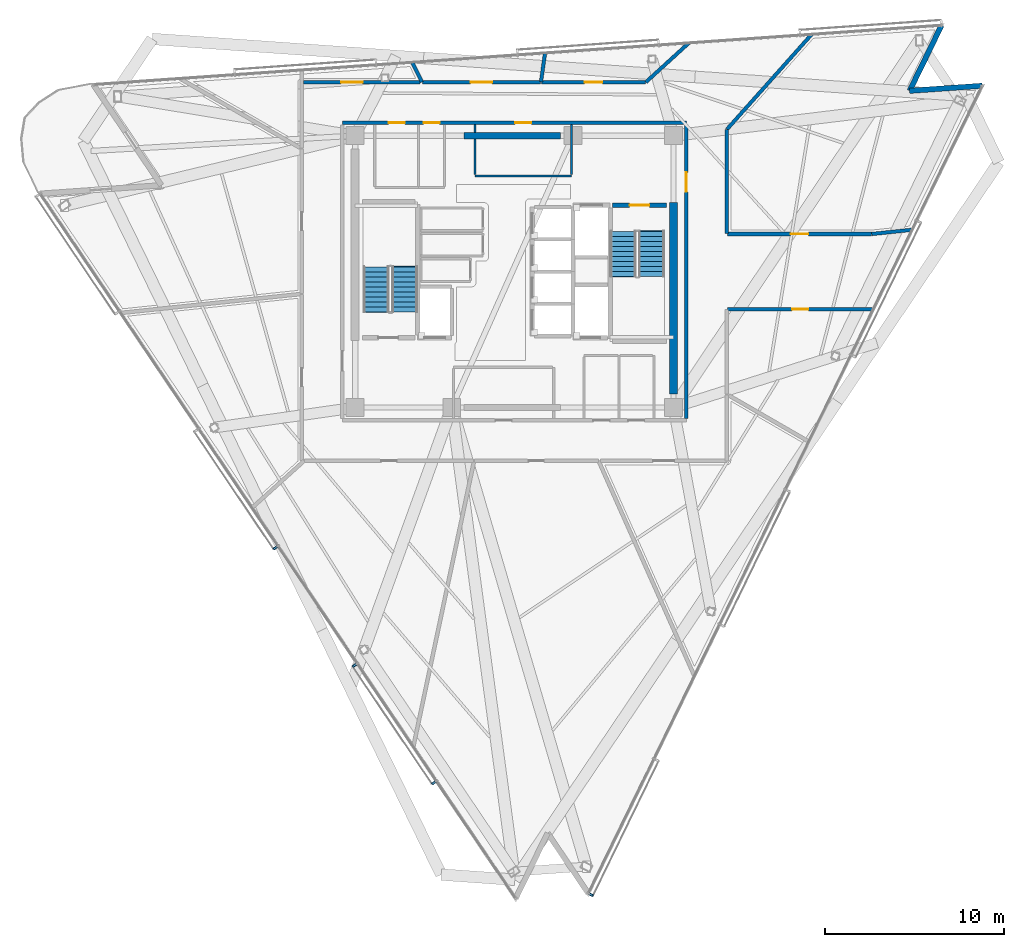
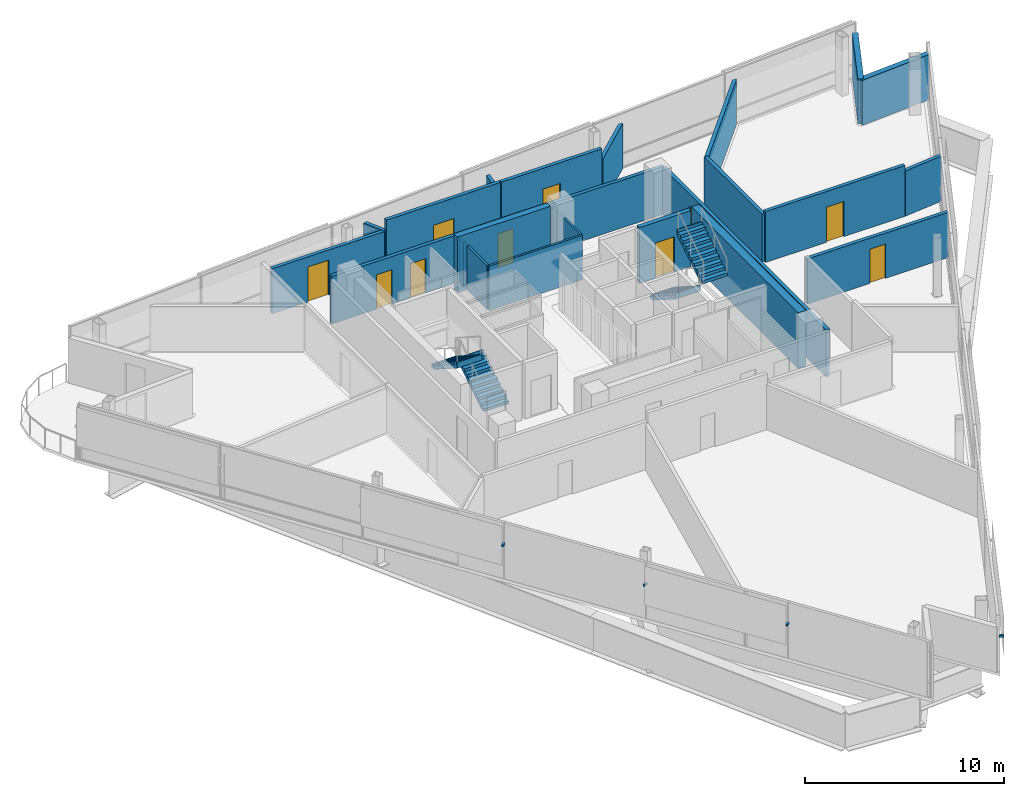
# One storey, part 12 of 17: 22 walls, 10 doors, 4 discrete accessories, 4 stair flights, 10 openings, 2 elements without a shape of their own.
"""IFC4 building model written with IfcOpenShell, lengths in metres."""

import ifcopenshell
import ifcopenshell.guid

model = None  # the IFC model being written
_history = None  # IfcOwnerHistory: only IFC2X3 demands one
_inside = {}  # id of a spatial element -> (the spatial element, [elements in it])
_under = {}  # id of a project, library or spatial element -> (it, [spatial elements below it])
_declared = {}  # id of a project -> (the project, [libraries it declares])
_typed = {}  # id of a type object -> (the type object, [elements of that type])
_made_of = {}  # id of a material, layer set ... -> (it, [elements and type objects made of it])


def new_model(schema):
    """Start an empty IFC model of exactly this schema.

    Asked for "IFC4X3", IfcOpenShell would pick the latest addendum, in which some entities
    have other attributes; the version numbers below select the first issue.
    IFC2X3 requires an IfcOwnerHistory on every rooted entity: one is made here for all.
    """
    global model, _history
    if schema == "IFC4X3":
        model = ifcopenshell.file(schema_version=(4, 3, 0, 0))
    else:
        model = ifcopenshell.file(schema=schema)
    _inside.clear()
    _under.clear()
    _declared.clear()
    _typed.clear()
    _made_of.clear()
    _history = None
    if model.schema == "IFC2X3":
        org = make("IfcOrganization", Name="unknown")
        user = make(
            "IfcPersonAndOrganization",
            ThePerson=make("IfcPerson", FamilyName="unknown"),
            TheOrganization=org,
        )
        app = make(
            "IfcApplication",
            ApplicationDeveloper=org,
            Version="unknown",
            ApplicationFullName="unknown",
            ApplicationIdentifier="unknown",
        )
        _history = make(
            "IfcOwnerHistory",
            OwningUser=user,
            OwningApplication=app,
            ChangeAction="ADDED",
            CreationDate=0,
        )
    return model


def make(cls, **values):
    """One entity of the class cls with the attributes given. An attribute that is None is left unset."""
    return model.create_entity(
        cls, **{name: value for name, value in values.items() if value is not None}
    )


def rooted(cls, **values):
    """An entity with a GlobalId (a new one), such as an element, a storey or a relation."""
    return make(cls, GlobalId=ifcopenshell.guid.new(), OwnerHistory=_history, **values)


def si_unit(unit_type, name, prefix=None):
    """IfcSIUnit, for example si_unit("LENGTHUNIT", "METRE", prefix="MILLI")."""
    return make("IfcSIUnit", UnitType=unit_type, Prefix=prefix, Name=name)


def assignment(units):
    """IfcUnitAssignment: the units of a project."""
    return None if units is None else make("IfcUnitAssignment", Units=units)


def point(xyz):
    """IfcCartesianPoint."""
    return None if xyz is None else make("IfcCartesianPoint", Coordinates=xyz)


def direction(xyz):
    """IfcDirection."""
    return None if xyz is None else make("IfcDirection", DirectionRatios=xyz)


def frame(location, z_axis=None, x_axis=None):
    """IfcAxis2Placement3D, a coordinate frame: its origin and axes. An axis left out is left unset."""
    return make(
        "IfcAxis2Placement3D",
        Location=point(location),
        Axis=direction(z_axis),
        RefDirection=direction(x_axis),
    )


def frame_2d(location, x_axis=None):
    """IfcAxis2Placement2D, a coordinate frame in the plane: its origin and x axis."""
    return make(
        "IfcAxis2Placement2D", Location=point(location), RefDirection=direction(x_axis)
    )


def origin():
    """The frame at (0, 0, 0) with its axes left unset."""
    return frame((0.0, 0.0, 0.0))


def origin_2d():
    """The frame at (0, 0) in the plane with its x axis left unset."""
    return frame_2d((0.0, 0.0))


def place(relative_to, where):
    """IfcLocalPlacement: puts the frame where relative to a parent placement (None: the world)."""
    return make(
        "IfcLocalPlacement", PlacementRelTo=relative_to, RelativePlacement=where
    )


def context(
    kind, dimensions, precision=None, world=None, true_north=None, identifier=None
):
    """IfcGeometricRepresentationContext, for example the 3D "Model" context."""
    return make(
        "IfcGeometricRepresentationContext",
        ContextIdentifier=identifier,
        ContextType=kind,
        CoordinateSpaceDimension=dimensions,
        Precision=precision,
        WorldCoordinateSystem=world,
        TrueNorth=true_north,
    )


def subcontext(parent, identifier, kind, view, scale=None):
    """IfcGeometricRepresentationSubContext, for example "Body" below "Model"."""
    return make(
        "IfcGeometricRepresentationSubContext",
        ContextIdentifier=identifier,
        ContextType=kind,
        ParentContext=parent,
        TargetScale=scale,
        TargetView=view,
    )


def project(units=None, contexts=None):
    """IfcProject with its units and contexts."""
    return rooted(
        "IfcProject",
        Name="project",
        RepresentationContexts=contexts,
        UnitsInContext=assignment(units),
    )


def spatial(cls, under=None, at=None, **own):
    """A site, building, storey or space (cls), placed at a placement, below another one or the project."""
    s = rooted(cls, ObjectPlacement=at, **own)
    if under is not None:
        _under.setdefault(under.id(), (under, []))[1].append(s)
    return s


def polyline(points):
    """IfcPolyline through the points."""
    return make("IfcPolyline", Points=[point(p) for p in points])


def profile(cls, at=None, kind="AREA", **sizes):
    """A parametric profile (cls). Its sizes go by their IFC names, for example OverallWidth=200.0."""
    return make(cls, ProfileType=kind, Position=at, **sizes)


def rectangle(**sizes):
    """IfcRectangleProfileDef."""
    return profile("IfcRectangleProfileDef", **sizes)


def outline(outer, holes=None, kind="AREA"):
    """IfcArbitraryClosedProfileDef: a profile drawn as a closed curve; with holes, ...WithVoids."""
    if holes is None:
        return make("IfcArbitraryClosedProfileDef", ProfileType=kind, OuterCurve=outer)
    return make(
        "IfcArbitraryProfileDefWithVoids",
        ProfileType=kind,
        OuterCurve=outer,
        InnerCurves=holes,
    )


def extrude(swept, where, along, depth):
    """IfcExtrudedAreaSolid: the profile swept, set in the frame where, extruded along a direction by depth."""
    return make(
        "IfcExtrudedAreaSolid",
        SweptArea=swept,
        Position=where,
        ExtrudedDirection=direction(along),
        Depth=depth,
    )


def shape(context_of_items, identifier, shape_type, items):
    """IfcShapeRepresentation: the items that make up one representation, for example the "Body"."""
    return make(
        "IfcShapeRepresentation",
        ContextOfItems=context_of_items,
        RepresentationIdentifier=identifier,
        RepresentationType=shape_type,
        Items=items,
    )


def material(Name=None, Category=None):
    """IfcMaterial."""
    return make("IfcMaterial", Name=Name, Category=Category)


def layer(
    of_material, thickness, ventilated=None, Name=None, Category=None, Priority=None
):
    """IfcMaterialLayer: one layer of a wall or slab, of a material (None: an air gap)."""
    return make(
        "IfcMaterialLayer",
        Material=of_material,
        LayerThickness=thickness,
        IsVentilated=ventilated,
        Name=Name,
        Category=Category,
        Priority=Priority,
    )


def layer_set(layers, Name=None):
    """IfcMaterialLayerSet."""
    return make("IfcMaterialLayerSet", MaterialLayers=layers, LayerSetName=Name)


def made_of(thing, what):
    """Note that an element or type object is made of a material, layer set ...; save() writes the relation."""
    if what is not None:
        _made_of.setdefault(what.id(), (what, []))[1].append(thing)
    return thing


def type_object(cls, material=None, **own):
    """A type object (cls), such as IfcWallType, which elements share."""
    return made_of(rooted(cls, **own), material)


def element(
    cls,
    number,
    at=None,
    inside=None,
    cuts=None,
    type_object=None,
    material=None,
    context=None,
    identifier="Body",
    shape_type=None,
    held_by="IfcProductDefinitionShape",
    body=None,
    shapes=None,
    **own,
):
    """One element of the class cls, such as IfcWall. Its Tag is "e" and its number.

    at: its placement. inside: the storey or other place that contains it. cuts: it is an
    opening in that element (IfcRelVoidsElement). A single representation is given by context,
    identifier, shape_type and body (its items); several are given by shapes. held_by: the class
    of the entity that holds the representations. save() writes the other relations.
    """
    e = rooted(cls, Tag="e%d" % number, ObjectPlacement=at, **own)
    if body is not None:
        shapes = [shape(context, identifier, shape_type, body)]
    if shapes is not None:
        e.Representation = make(held_by, Representations=shapes)
    if inside is not None:
        _inside.setdefault(inside.id(), (inside, []))[1].append(e)
    if cuts is not None:
        rooted(
            "IfcRelVoidsElement", RelatingBuildingElement=cuts, RelatedOpeningElement=e
        )
    if type_object is not None:
        _typed.setdefault(type_object.id(), (type_object, []))[1].append(e)
    return made_of(e, material)


def fill(opening, filler):
    """IfcRelFillsElement: the door or window that sits in an opening."""
    return rooted(
        "IfcRelFillsElement",
        RelatingOpeningElement=opening,
        RelatedBuildingElement=filler,
    )


def aggregate(whole, parts):
    """IfcRelAggregates: a whole, such as a stair, and the parts it consists of."""
    return rooted("IfcRelAggregates", RelatingObject=whole, RelatedObjects=parts)


def save(model, path):
    """Write the relations noted so far, then the file.

    IfcRelAggregates (storeys below a building ...), IfcRelContainedInSpatialStructure (elements
    in a storey), IfcRelDefinesByType, IfcRelAssociatesMaterial and IfcRelDeclares: one each for
    every whole, place, type object, material and project.
    """
    for whole, parts in _under.values():
        aggregate(whole, parts)
    for where, things in _inside.values():
        rooted(
            "IfcRelContainedInSpatialStructure",
            RelatedElements=things,
            RelatingStructure=where,
        )
    for kind, things in _typed.values():
        rooted("IfcRelDefinesByType", RelatedObjects=things, RelatingType=kind)
    for what, things in _made_of.values():
        rooted("IfcRelAssociatesMaterial", RelatedObjects=things, RelatingMaterial=what)
    for by, libraries in _declared.values():
        rooted("IfcRelDeclares", RelatingContext=by, RelatedDefinitions=libraries)
    model.write(path)


model = new_model("IFC4")

# Units and contexts
model_context = context("Model", 3, precision=1e-05, world=origin(), true_north=direction((0.0, 1.0)))
body_context = subcontext(model_context, "Body", "Model", "MODEL_VIEW")
ifc_project = project(units=[si_unit("LENGTHUNIT", "METRE"), si_unit("AREAUNIT", "SQUARE_METRE"), si_unit("VOLUMEUNIT", "CUBIC_METRE"), si_unit("PLANEANGLEUNIT", "RADIAN"), si_unit("MASSUNIT", "GRAM", prefix="KILO")], contexts=[model_context])

# Site, building, storey
site_placement = place(None, origin())
site = spatial("IfcSite", under=ifc_project, at=site_placement, CompositionType="ELEMENT")
building_placement = place(site_placement, origin())
building = spatial("IfcBuilding", under=site, at=building_placement, Name="Tharavind Bronze Gate", CompositionType="ELEMENT")
storey_placement = place(building_placement, frame((0.0, 0.0, 253.39990234375)))
storey = spatial("IfcBuildingStorey", under=building, at=storey_placement, Name="L65", CompositionType="ELEMENT", Elevation=253.39990234375)

# Walls
ifc_material_1 = material(Name="Concrete C40/50", Category="concrete")
ifc_layer_1 = layer(ifc_material_1, 0.300048828125)
ifc_layer_set_1 = layer_set([ifc_layer_1], Name="Concrete C40/50")
wall_type_1 = type_object("IfcWallType", Name="EXTERIOR SPANDREL WALL 300", PredefinedType="STANDARD", material=ifc_layer_set_1)
for number, where, z_axis, x_axis, name in (
    (1, (26.1552734375, 10.388427734375, 0.0), (0.0, 0.0, 1.0), (-0.997565400947, -0.06973715533, 0.0), "L65 notch cheek wall 3A"),
    (2, (22.09716796875, 10.104736328125, 0.0), (0.0, 0.0, 1.0), (0.438405895792, 0.898777097246, 0.0), "L65 notch cheek wall 3B"),
):
    element("IfcWall", number, at=place(storey_placement, frame(where, z_axis=z_axis, x_axis=x_axis)), inside=storey, type_object=wall_type_1, Name=name, PredefinedType="STANDARD", context=body_context, shape_type="SweptSolid", body=[
        extrude(rectangle(XDim=4.068115234375, YDim=0.300048828125, at=frame_2d((2.0341796875, 0.0))), origin(), (0.0, 0.0, 1.0), 2.76513671875),
    ])

# Wall, openings, doors
ifc_material_2 = material(Name="Aerated Concrete Block", Category="concrete")
ifc_layer_2 = layer(ifc_material_2, 0.199951171875)
ifc_layer_set_2 = layer_set([ifc_layer_2], Name="Aerated Concrete Block")
wall_type_2 = type_object("IfcWallType", Name="FIRE RATED PARTITION 200", PredefinedType="PARTITIONING", material=ifc_layer_set_2)
wall_1_placement = place(storey_placement, frame((9.6201171875, 8.320068359375, 0.0), z_axis=(0.0, 0.0, 1.0), x_axis=(-1.0, 0.0, 0.0)))
wall_1 = element("IfcWall", 3, at=wall_1_placement, inside=storey, type_object=wall_type_2, Name="L65 north core corridor wall", PredefinedType="PARTITIONING", context=body_context, shape_type="SweptSolid", body=[
    extrude(rectangle(XDim=19.240234375, YDim=0.199951171875, at=frame_2d((9.6201171875, 0.0))), origin(), (0.0, 0.0, 1.0), 2.9150390625),
])
opening_1_placement = place(wall_1_placement, frame((8.669921875, 0.0, 0.0)))
opening_1 = element("IfcOpeningElement", 4, at=opening_1_placement, cuts=wall_1, Name="Opening ID07", PredefinedType="OPENING", context=body_context, shape_type="SweptSolid", body=[
    extrude(rectangle(XDim=0.89990234375, YDim=2.10009765625, at=frame_2d((0.449951171875, 1.050048828125))), frame((0.0, 0.11009765625, 0.0), z_axis=(0.0, -1.0, 0.0), x_axis=(1.0, 0.0, 0.0)), (0.0, 0.0, 1.0), 0.219951171875),
])
opening_2_placement = place(wall_1_placement, frame((15.7451171875, 0.0, 0.0)))
opening_2 = element("IfcOpeningElement", 5, at=opening_2_placement, cuts=wall_1, Name="Opening ID07", PredefinedType="OPENING", context=body_context, shape_type="SweptSolid", body=[
    extrude(rectangle(XDim=0.89990234375, YDim=2.10009765625, at=frame_2d((0.449951171875, 1.050048828125))), frame((0.0, 0.11009765625, 0.0), z_axis=(0.0, -1.0, 0.0), x_axis=(1.0, 0.0, 0.0)), (0.0, 0.0, 1.0), 0.219951171875),
])
opening_3_placement = place(wall_1_placement, frame((13.794921875, 0.0, 0.0)))
opening_3 = element("IfcOpeningElement", 6, at=opening_3_placement, cuts=wall_1, Name="Opening ID07", PredefinedType="OPENING", context=body_context, shape_type="SweptSolid", body=[
    extrude(rectangle(XDim=0.89990234375, YDim=2.10009765625, at=frame_2d((0.449951171875, 1.050048828125))), frame((0.0, 0.11009765625, 0.0), z_axis=(0.0, -1.0, 0.0), x_axis=(1.0, 0.0, 0.0)), (0.0, 0.0, 1.0), 0.219951171875),
])
ifc_material_3 = material(Name="Galvanised Fire Steel", Category="steel")
door_type_1 = type_object("IfcDoorType", Name="PLANT AND RISER FIRE DOOR 900X2100", OperationType="SINGLE_SWING_LEFT", PredefinedType="DOOR", material=ifc_material_3)
door_1_placement = place(opening_1_placement, origin())
door_1 = element("IfcDoor", 7, at=door_1_placement, inside=storey, type_object=door_type_1, Name="L65 Core Avionics Room fire door", OperationType="SINGLE_SWING_LEFT", OverallHeight=2.10009765625, OverallWidth=0.89990234375, PredefinedType="DOOR", context=body_context, shape_type="SweptSolid", body=[
    extrude(rectangle(XDim=0.89990234375, YDim=2.10009765625, at=frame_2d((0.449951171875, 1.050048828125))), frame((0.0, 0.02490234375, 0.0), z_axis=(0.0, -1.0, 0.0), x_axis=(1.0, 0.0, 0.0)), (0.0, 0.0, 1.0), 0.050048828125),
])
fill(opening_1, door_1)
door_2_placement = place(opening_2_placement, origin())
door_2 = element("IfcDoor", 8, at=door_2_placement, inside=storey, type_object=door_type_1, Name="L65 Electrical Metering Room fire door", OperationType="SINGLE_SWING_LEFT", OverallHeight=2.10009765625, OverallWidth=0.89990234375, PredefinedType="DOOR", context=body_context, shape_type="SweptSolid", body=[
    extrude(rectangle(XDim=0.89990234375, YDim=2.10009765625, at=frame_2d((0.449951171875, 1.050048828125))), frame((0.0, 0.02490234375, 0.0), z_axis=(0.0, -1.0, 0.0), x_axis=(1.0, 0.0, 0.0)), (0.0, 0.0, 1.0), 0.050048828125),
])
fill(opening_2, door_2)
door_3_placement = place(opening_3_placement, origin())
door_3 = element("IfcDoor", 9, at=door_3_placement, inside=storey, type_object=door_type_1, Name="L65 Linen Cupboard fire door", OperationType="SINGLE_SWING_LEFT", OverallHeight=2.10009765625, OverallWidth=0.89990234375, PredefinedType="DOOR", context=body_context, shape_type="SweptSolid", body=[
    extrude(rectangle(XDim=0.89990234375, YDim=2.10009765625, at=frame_2d((0.449951171875, 1.050048828125))), frame((0.0, 0.02490234375, 0.0), z_axis=(0.0, -1.0, 0.0), x_axis=(1.0, 0.0, 0.0)), (0.0, 0.0, 1.0), 0.050048828125),
])
fill(opening_3, door_3)

# Wall, opening, door
wall_2_placement = place(storey_placement, frame((9.6201171875, -8.199951171875, 0.0), z_axis=(0.0, 0.0, 1.0), x_axis=(0.0, 1.0, 0.0)))
wall_2 = element("IfcWall", 10, at=wall_2_placement, inside=storey, type_object=wall_type_2, Name="L65 east core corridor wall", PredefinedType="PARTITIONING", context=body_context, shape_type="SweptSolid", body=[
    extrude(rectangle(XDim=16.39990234375, YDim=0.199951171875, at=frame_2d((8.199951171875, 0.0))), origin(), (0.0, 0.0, 1.0), 2.9150390625),
])
opening_4_placement = place(wall_2_placement, frame((12.64990234375, 0.0, 0.0)))
opening_4 = element("IfcOpeningElement", 11, at=opening_4_placement, cuts=wall_2, Name="Opening ID01", PredefinedType="OPENING", context=body_context, shape_type="SweptSolid", body=[
    extrude(rectangle(XDim=1.10009765625, YDim=2.14990234375, at=frame_2d((0.550048828125, 1.074951171875))), frame((0.0, 0.11009765625, 0.0), z_axis=(0.0, -1.0, 0.0), x_axis=(1.0, 0.0, 0.0)), (0.0, 0.0, 1.0), 0.219951171875),
])
ifc_material_4 = material(Name="Fire-Rated Steel", Category="steel")
door_type_2 = type_object("IfcDoorType", Name="STAIR CORE FIRE DOOR 1100X2150", OperationType="SINGLE_SWING_LEFT", PredefinedType="DOOR", material=ifc_material_4)
door_4_placement = place(opening_4_placement, frame((1.10009765625, 0.0, 0.0), z_axis=(0.0, 0.0, 1.0), x_axis=(-1.0, 0.0, 0.0)))
door_4 = element("IfcDoor", 12, at=door_4_placement, inside=storey, type_object=door_type_2, Name="L65 north east stair lobby fire door", OperationType="SINGLE_SWING_LEFT", OverallHeight=2.14990234375, OverallWidth=1.10009765625, PredefinedType="DOOR", context=body_context, shape_type="SweptSolid", body=[
    extrude(rectangle(XDim=1.10009765625, YDim=2.14990234375, at=frame_2d((0.550048828125, 1.074951171875))), frame((0.0, 0.02490234375, 0.0), z_axis=(0.0, -1.0, 0.0), x_axis=(1.0, 0.0, 0.0)), (0.0, 0.0, 1.0), 0.050048828125),
])
fill(opening_4, door_4)

# Wall
wall_3_placement = place(storey_placement, frame((22.214111328125, 2.334716796875, 0.0), z_axis=(0.0, 0.0, 1.0), x_axis=(-0.994523910136, -0.104509292252, 0.0)))
element("IfcWall", 13, at=wall_3_placement, inside=storey, type_object=wall_type_2, Name="L65 Chairman Corner Office partition", PredefinedType="PARTITIONING", context=body_context, shape_type="SweptSolid", body=[
    extrude(rectangle(XDim=2.244873046875, YDim=0.199951171875, at=frame_2d((1.12255859375, 0.0))), origin(), (0.0, 0.0, 1.0), 2.76513671875),
])

# Wall, opening, door
wall_4_placement = place(storey_placement, frame((19.97900390625, 2.10009765625, 0.0), z_axis=(0.0, 0.0, 1.0), x_axis=(-1.0, 0.0, 0.0)))
wall_4 = element("IfcWall", 14, at=wall_4_placement, inside=storey, type_object=wall_type_2, Name="L65 Chairman Corner Office partition", PredefinedType="PARTITIONING", context=body_context, shape_type="SweptSolid", body=[
    extrude(rectangle(XDim=8.073974609375, YDim=0.199951171875, at=frame_2d((4.037109375, 0.0))), origin(), (0.0, 0.0, 1.0), 3.114990234375),
])
opening_5_placement = place(wall_4_placement, frame((3.537109375, 0.0, 0.0)))
opening_5 = element("IfcOpeningElement", 15, at=opening_5_placement, cuts=wall_4, Name="Opening ID04", PredefinedType="OPENING", context=body_context, shape_type="SweptSolid", body=[
    extrude(rectangle(XDim=1.0, YDim=2.14990234375, at=frame_2d((0.5, 1.074951171875))), frame((0.0, 0.11009765625, 0.0), z_axis=(0.0, -1.0, 0.0), x_axis=(1.0, 0.0, 0.0)), (0.0, 0.0, 1.0), 0.219951171875),
])
ifc_material_5 = material(Name="Bronze Framed Acoustic Timber", Category="wood")
door_type_3 = type_object("IfcDoorType", Name="OFFICE TENANCY DOOR 1000X2150", OperationType="SINGLE_SWING_RIGHT", PredefinedType="DOOR", material=ifc_material_5)
door_5_placement = place(opening_5_placement, origin())
door_5 = element("IfcDoor", 16, at=door_5_placement, inside=storey, type_object=door_type_3, Name="L65 Chairman Corner Office door", OperationType="SINGLE_SWING_RIGHT", OverallHeight=2.14990234375, OverallWidth=1.0, PredefinedType="DOOR", context=body_context, shape_type="SweptSolid", body=[
    extrude(rectangle(XDim=1.0, YDim=2.14990234375, at=frame_2d((0.5, 1.074951171875))), frame((0.0, 0.02490234375, 0.0), z_axis=(0.0, -1.0, 0.0), x_axis=(1.0, 0.0, 0.0)), (0.0, 0.0, 1.0), 0.050048828125),
])
fill(opening_5, door_5)

# Walls
wall_5_placement = place(storey_placement, frame((11.8798828125, 2.125, 0.0), z_axis=(0.0, 0.0, 1.0), x_axis=(0.0, 1.0, 0.0)))
element("IfcWall", 17, at=wall_5_placement, inside=storey, type_object=wall_type_2, Name="L65 Chairman Corner Office partition", PredefinedType="PARTITIONING", context=body_context, shape_type="SweptSolid", body=[
    extrude(rectangle(XDim=5.811279296875, YDim=0.199951171875, at=frame_2d((2.90576171875, 0.0))), origin(), (0.0, 0.0, 1.0), 2.9150390625),
])
wall_6_placement = place(storey_placement, frame((11.88623046875, 7.952880859375, 0.0), z_axis=(0.0, 0.0, 1.0), x_axis=(0.66568987099, 0.746228514372, 0.0)))
element("IfcWall", 18, at=wall_6_placement, inside=storey, type_object=wall_type_2, Name="L65 Chairman Corner Office partition", PredefinedType="PARTITIONING", context=body_context, shape_type="SweptSolid", body=[
    extrude(rectangle(XDim=7.1025390625, YDim=0.199951171875, at=frame_2d((3.55126953125, 0.0))), origin(), (0.0, 0.0, 1.0), 2.76513671875),
])
wall_7_placement = place(storey_placement, frame((9.74853515625, 12.77294921875, 0.0), z_axis=(0.0, 0.0, 1.0), x_axis=(-0.739034043314, -0.673668080603, 0.0)))
element("IfcWall", 19, at=wall_7_placement, inside=storey, type_object=wall_type_2, Name="L65 CEO Executive Office partition", PredefinedType="PARTITIONING", context=body_context, shape_type="SweptSolid", body=[
    extrude(rectangle(XDim=3.24560546875, YDim=0.199951171875, at=frame_2d((1.622802734375, 0.0))), origin(), (0.0, 0.0, 1.0), 2.76513671875),
])

# Wall, opening, door
wall_8_placement = place(storey_placement, frame((7.3330078125, 10.580078125, 0.0), z_axis=(0.0, 0.0, 1.0), x_axis=(-1.0, 0.0, 0.0)))
wall_8 = element("IfcWall", 20, at=wall_8_placement, inside=storey, type_object=wall_type_2, Name="L65 CEO Executive Office partition", PredefinedType="PARTITIONING", context=body_context, shape_type="SweptSolid", body=[
    extrude(rectangle(XDim=5.8173828125, YDim=0.199951171875, at=frame_2d((2.90869140625, 0.0))), origin(), (0.0, 0.0, 1.0), 3.420166015625),
])
opening_6_placement = place(wall_8_placement, frame((2.408935546875, 0.0, 0.0)))
opening_6 = element("IfcOpeningElement", 21, at=opening_6_placement, cuts=wall_8, Name="Opening ID04", PredefinedType="OPENING", context=body_context, shape_type="SweptSolid", body=[
    extrude(rectangle(XDim=1.0, YDim=2.14990234375, at=frame_2d((0.5, 1.074951171875))), frame((0.0, 0.11009765625, 0.0), z_axis=(0.0, -1.0, 0.0), x_axis=(1.0, 0.0, 0.0)), (0.0, 0.0, 1.0), 0.219951171875),
])
door_6_placement = place(opening_6_placement, origin())
door_6 = element("IfcDoor", 22, at=door_6_placement, inside=storey, type_object=door_type_3, Name="L65 CEO Executive Office door", OperationType="SINGLE_SWING_RIGHT", OverallHeight=2.14990234375, OverallWidth=1.0, PredefinedType="DOOR", context=body_context, shape_type="SweptSolid", body=[
    extrude(rectangle(XDim=1.0, YDim=2.14990234375, at=frame_2d((0.5, 1.074951171875))), frame((0.0, 0.02490234375, 0.0), z_axis=(0.0, -1.0, 0.0), x_axis=(1.0, 0.0, 0.0)), (0.0, 0.0, 1.0), 0.050048828125),
])
fill(opening_6, door_6)

# Wall
wall_9_placement = place(storey_placement, frame((1.490966796875, 10.6083984375, 0.0), z_axis=(0.0, 0.0, 1.0), x_axis=(0.139154192709, 0.990270725939, 0.0)))
element("IfcWall", 23, at=wall_9_placement, inside=storey, type_object=wall_type_2, Name="L65 CEO Executive Office partition", PredefinedType="PARTITIONING", context=body_context, shape_type="SweptSolid", body=[
    extrude(rectangle(XDim=1.598388671875, YDim=0.199951171875, at=frame_2d((0.79931640625, 0.0))), origin(), (0.0, 0.0, 1.0), 2.76513671875),
])

# Wall, opening, door
wall_10_placement = place(storey_placement, frame((1.465087890625, 10.580078125, 0.0), z_axis=(0.0, 0.0, 1.0), x_axis=(-1.0, 0.0, 0.0)))
wall_10 = element("IfcWall", 24, at=wall_10_placement, inside=storey, type_object=wall_type_2, Name="L65 Global Boardroom partition", PredefinedType="PARTITIONING", context=body_context, shape_type="SweptSolid", body=[
    extrude(rectangle(XDim=6.609619140625, YDim=0.199951171875, at=frame_2d((3.3046875, 0.0))), origin(), (0.0, 0.0, 1.0), 3.420166015625),
])
opening_7_placement = place(wall_10_placement, frame((2.705078125, 0.0, 0.0)))
opening_7 = element("IfcOpeningElement", 25, at=opening_7_placement, cuts=wall_10, Name="Opening ID05", PredefinedType="OPENING", context=body_context, shape_type="SweptSolid", body=[
    extrude(rectangle(XDim=1.199951171875, YDim=2.14990234375, at=frame_2d((0.60009765625, 1.074951171875))), frame((0.0, 0.11009765625, 0.0), z_axis=(0.0, -1.0, 0.0), x_axis=(1.0, 0.0, 0.0)), (0.0, 0.0, 1.0), 0.219951171875),
])
ifc_material_6 = material(Name="Acoustic Laminated Glass", Category="glass")
door_type_4 = type_object("IfcDoorType", Name="MEETING ROOM GLAZED DOOR 1200X2150", OperationType="SINGLE_SWING_LEFT", PredefinedType="DOOR", material=ifc_material_6)
door_7_placement = place(opening_7_placement, origin())
door_7 = element("IfcDoor", 26, at=door_7_placement, inside=storey, type_object=door_type_4, Name="L65 Global Boardroom door", OperationType="SINGLE_SWING_LEFT", OverallHeight=2.14990234375, OverallWidth=1.199951171875, PredefinedType="DOOR", context=body_context, shape_type="SweptSolid", body=[
    extrude(rectangle(XDim=1.199951171875, YDim=2.14990234375, at=frame_2d((0.60009765625, 1.074951171875))), frame((0.0, 0.02490234375, 0.0), z_axis=(0.0, -1.0, 0.0), x_axis=(1.0, 0.0, 0.0)), (0.0, 0.0, 1.0), 0.050048828125),
])
fill(opening_7, door_7)

# Wall
wall_11_placement = place(storey_placement, frame((-5.1669921875, 10.593994140625, 0.0), z_axis=(0.0, 0.0, 1.0), x_axis=(-0.438482667622, 0.89873964539, 0.0)))
element("IfcWall", 27, at=wall_11_placement, inside=storey, type_object=wall_type_2, Name="L65 Global Boardroom partition", PredefinedType="PARTITIONING", context=body_context, shape_type="SweptSolid", body=[
    extrude(rectangle(XDim=1.22216796875, YDim=0.199951171875, at=frame_2d((0.611083984375, 0.0))), origin(), (0.0, 0.0, 1.0), 2.76513671875),
])

# Wall, opening, door
wall_12_placement = place(storey_placement, frame((-5.277099609375, 10.580078125, 0.0), z_axis=(0.0, 0.0, 1.0), x_axis=(-1.0, 0.0, 0.0)))
wall_12 = element("IfcWall", 28, at=wall_12_placement, inside=storey, type_object=wall_type_2, Name="L65 Strategy Seminar Room partition", PredefinedType="PARTITIONING", context=body_context, shape_type="SweptSolid", body=[
    extrude(rectangle(XDim=6.497802734375, YDim=0.199951171875, at=frame_2d((3.2490234375, 0.0))), origin(), (0.0, 0.0, 1.0), 2.76513671875),
])
opening_8_placement = place(wall_12_placement, frame((3.208984375, 0.0, 0.0)))
opening_8 = element("IfcOpeningElement", 29, at=opening_8_placement, cuts=wall_12, Name="Opening ID05", PredefinedType="OPENING", context=body_context, shape_type="SweptSolid", body=[
    extrude(rectangle(XDim=1.199951171875, YDim=2.14990234375, at=frame_2d((0.60009765625, 1.074951171875))), frame((0.0, 0.11009765625, 0.0), z_axis=(0.0, -1.0, 0.0), x_axis=(1.0, 0.0, 0.0)), (0.0, 0.0, 1.0), 0.219951171875),
])
door_8_placement = place(opening_8_placement, origin())
door_8 = element("IfcDoor", 30, at=door_8_placement, inside=storey, type_object=door_type_4, Name="L65 Strategy Seminar Room door", OperationType="SINGLE_SWING_LEFT", OverallHeight=2.14990234375, OverallWidth=1.199951171875, PredefinedType="DOOR", context=body_context, shape_type="SweptSolid", body=[
    extrude(rectangle(XDim=1.199951171875, YDim=2.14990234375, at=frame_2d((0.60009765625, 1.074951171875))), frame((0.0, 0.02490234375, 0.0), z_axis=(0.0, -1.0, 0.0), x_axis=(1.0, 0.0, 0.0)), (0.0, 0.0, 1.0), 0.050048828125),
])
fill(opening_8, door_8)

wall_13_placement = place(storey_placement, frame((11.905029296875, -2.10009765625, 0.0), z_axis=(0.0, 0.0, 1.0), x_axis=(1.0, 0.0, 0.0)))
wall_13 = element("IfcWall", 31, at=wall_13_placement, inside=storey, type_object=wall_type_2, Name="L65 Butler Pantry partition", PredefinedType="PARTITIONING", context=body_context, shape_type="SweptSolid", body=[
    extrude(rectangle(XDim=8.1591796875, YDim=0.199951171875, at=frame_2d((4.07958984375, 0.0))), origin(), (0.0, 0.0, 1.0), 2.76513671875),
])
opening_9_placement = place(wall_13_placement, frame((3.6298828125, 0.0, 0.0)))
opening_9 = element("IfcOpeningElement", 32, at=opening_9_placement, cuts=wall_13, Name="Opening ID07", PredefinedType="OPENING", context=body_context, shape_type="SweptSolid", body=[
    extrude(rectangle(XDim=0.89990234375, YDim=2.10009765625, at=frame_2d((0.449951171875, 1.050048828125))), frame((0.0, 0.11009765625, 0.0), z_axis=(0.0, -1.0, 0.0), x_axis=(1.0, 0.0, 0.0)), (0.0, 0.0, 1.0), 0.219951171875),
])
door_9_placement = place(opening_9_placement, origin())
door_9 = element("IfcDoor", 33, at=door_9_placement, inside=storey, type_object=door_type_1, Name="L65 Butler Pantry door", OperationType="SINGLE_SWING_LEFT", OverallHeight=2.10009765625, OverallWidth=0.89990234375, PredefinedType="DOOR", context=body_context, shape_type="SweptSolid", body=[
    extrude(rectangle(XDim=0.89990234375, YDim=2.10009765625, at=frame_2d((0.449951171875, 1.050048828125))), frame((0.0, 0.02490234375, 0.0), z_axis=(0.0, -1.0, 0.0), x_axis=(1.0, 0.0, 0.0)), (0.0, 0.0, 1.0), 0.050048828125),
])
fill(opening_9, door_9)

# Walls
ifc_material_7 = material(Name="Metal Stud Gypsum Partition", Category="gypsum")
ifc_layer_3 = layer(ifc_material_7, 0.1201171875)
ifc_layer_set_3 = layer_set([ifc_layer_3], Name="Metal Stud Gypsum Partition")
wall_type_3 = type_object("IfcWallType", Name="INTERIOR PARTITION WALL 120", PredefinedType="PARTITIONING", material=ifc_layer_set_3)
wall_14_placement = place(storey_placement, frame((-2.199951171875, 5.35009765625, 0.0), z_axis=(0.0, 0.0, 1.0), x_axis=(1.0, 0.0, 0.0)))
element("IfcWall", 34, at=wall_14_placement, inside=storey, type_object=wall_type_3, Name="L65 Core Avionics Room partition 1", PredefinedType="PARTITIONING", context=body_context, shape_type="SweptSolid", body=[
    extrude(rectangle(XDim=5.39990234375, YDim=0.1201171875, at=frame_2d((2.699951171875, 0.0))), origin(), (0.0, 0.0, 1.0), 2.715087890625),
])
wall_15_placement = place(storey_placement, frame((3.199951171875, 5.4150390625, 0.0), z_axis=(0.0, 0.0, 1.0), x_axis=(0.0, 1.0, 0.0)))
element("IfcWall", 35, at=wall_15_placement, inside=storey, type_object=wall_type_3, Name="L65 Core Avionics Room partition 2", PredefinedType="PARTITIONING", context=body_context, shape_type="SweptSolid", body=[
    extrude(rectangle(XDim=2.800048828125, YDim=0.1201171875, at=frame_2d((1.39990234375, 0.0))), origin(), (0.0, 0.0, 1.0), 2.715087890625),
])
wall_16_placement = place(storey_placement, frame((-2.199951171875, 8.215087890625, 0.0), z_axis=(0.0, 0.0, 1.0), x_axis=(0.0, -1.0, 0.0)))
element("IfcWall", 36, at=wall_16_placement, inside=storey, type_object=wall_type_3, Name="L65 Core Avionics Room partition 4", PredefinedType="PARTITIONING", context=body_context, shape_type="SweptSolid", body=[
    extrude(rectangle(XDim=0.43505859375, YDim=0.1201171875, at=frame_2d((0.217529296875, 0.0))), origin(), (0.0, 0.0, 1.0), 2.715087890625),
])
wall_17_placement = place(storey_placement, frame((-2.199951171875, 7.419921875, 0.0), z_axis=(0.0, 0.0, 1.0), x_axis=(0.0, -1.0, 0.0)))
element("IfcWall", 37, at=wall_17_placement, inside=storey, type_object=wall_type_3, Name="L65 Core Avionics Room partition 4", PredefinedType="PARTITIONING", context=body_context, shape_type="SweptSolid", body=[
    extrude(rectangle(XDim=2.0048828125, YDim=0.1201171875, at=frame_2d((1.00244140625, 0.0))), origin(), (0.0, 0.0, 1.0), 2.715087890625),
])

# Wall, opening, door
ifc_material_8 = material(Name="Concrete C50/60", Category="concrete")
ifc_layer_4 = layer(ifc_material_8, 0.25)
ifc_layer_set_4 = layer_set([ifc_layer_4], Name="Concrete C50/60")
wall_type_4 = type_object("IfcWallType", Name="RC CORE SHEAR WALL 250", PredefinedType="SHEAR", material=ifc_layer_set_4)
wall_18_placement = place(storey_placement, frame((5.5, 3.699951171875, 0.0), z_axis=(0.0, 0.0, 1.0), x_axis=(1.0, 0.0, 0.0)))
wall_18 = element("IfcWall", 38, at=wall_18_placement, inside=storey, type_object=wall_type_4, Name="L65 ST2 shaft north wall", PredefinedType="SHEAR", context=body_context, shape_type="SweptSolid", body=[
    extrude(rectangle(XDim=3.0, YDim=0.25, at=frame_2d((1.5, 0.0))), origin(), (0.0, 0.0, 1.0), 3.420166015625),
])
opening_10_placement = place(wall_18_placement, frame((0.949951171875, 0.0, 0.0)))
opening_10 = element("IfcOpeningElement", 39, at=opening_10_placement, cuts=wall_18, Name="Opening ID01", PredefinedType="OPENING", context=body_context, shape_type="SweptSolid", body=[
    extrude(rectangle(XDim=1.10009765625, YDim=2.14990234375, at=frame_2d((0.550048828125, 1.074951171875))), frame((0.0, 0.135, 0.0), z_axis=(0.0, -1.0, 0.0), x_axis=(1.0, 0.0, 0.0)), (0.0, 0.0, 1.0), 0.27),
])
door_10_placement = place(opening_10_placement, frame((1.10009765625, 0.0, 0.0), z_axis=(0.0, 0.0, 1.0), x_axis=(-1.0, 0.0, 0.0)))
door_10 = element("IfcDoor", 40, at=door_10_placement, inside=storey, type_object=door_type_2, Name="L65 exit stair ST2 fire door", OperationType="SINGLE_SWING_LEFT", OverallHeight=2.14990234375, OverallWidth=1.10009765625, PredefinedType="DOOR", context=body_context, shape_type="SweptSolid", body=[
    extrude(rectangle(XDim=1.10009765625, YDim=2.14990234375, at=frame_2d((0.550048828125, 1.074951171875))), frame((0.0, 0.02490234375, 0.0), z_axis=(0.0, -1.0, 0.0), x_axis=(1.0, 0.0, 0.0)), (0.0, 0.0, 1.0), 0.050048828125),
])
fill(opening_10, door_10)

# Walls
ifc_layer_5 = layer(ifc_material_8, 0.35009765625)
ifc_layer_set_5 = layer_set([ifc_layer_5], Name="Concrete C50/60")
wall_type_5 = type_object("IfcWallType", Name="RC CORE SHEAR WALL 350", PredefinedType="SHEAR", material=ifc_layer_set_5)
wall_19_placement = place(storey_placement, frame((-2.800048828125, 7.60009765625, 0.0), z_axis=(0.0, 0.0, 1.0), x_axis=(1.0, 0.0, 0.0)))
element("IfcWall", 41, at=wall_19_placement, inside=storey, type_object=wall_type_5, Name="L65 north core shear wall", PredefinedType="SHEAR", context=body_context, shape_type="SweptSolid", body=[
    extrude(rectangle(XDim=5.380126953125, YDim=0.35009765625, at=frame_2d((2.68994140625, 0.0))), origin(), (0.0, 0.0, 1.0), 3.420166015625),
])
ifc_material_9 = material(Name="Concrete C60/75", Category="concrete")
ifc_layer_6 = layer(ifc_material_9, 0.449951171875)
ifc_layer_set_6 = layer_set([ifc_layer_6], Name="Concrete C60/75")
wall_type_6 = type_object("IfcWallType", Name="RC CORE SHEAR WALL 450", PredefinedType="SHEAR", material=ifc_layer_set_6)
wall_20_placement = place(storey_placement, frame((8.89990234375, -6.85009765625, 0.0), z_axis=(0.0, 0.0, 1.0), x_axis=(0.0, 1.0, 0.0)))
element("IfcWall", 42, at=wall_20_placement, inside=storey, type_object=wall_type_6, Name="L65 east core shear wall", PredefinedType="SHEAR", context=body_context, shape_type="SweptSolid", body=[
    extrude(rectangle(XDim=10.7001953125, YDim=0.449951171875, at=frame_2d((5.35009765625, 0.0))), origin(), (0.0, 0.0, 1.0), 3.420166015625),
])

# Stair, stair flights
stair_type = type_object("IfcStairType", Name="CORE HALF TURN STAIR 1450", PredefinedType="HALF_TURN_STAIR", material=ifc_material_1)
stair_1_placement = place(storey_placement, origin())
stair_1 = element("IfcStair", 43, at=stair_1_placement, inside=storey, type_object=stair_type, Name="L65 Protected Exit Stair ST1", PredefinedType="HALF_TURN_STAIR")
stair_flight_type = type_object("IfcStairFlightType", Name="CORE STAIR FLIGHT 1450", PredefinedType="STRAIGHT", material=ifc_material_1)
stair_flight_1_placement = place(storey_placement, frame((-6.125, -2.25, 0.0), z_axis=(0.0, 0.0, 1.0), x_axis=(0.0, 1.0, 0.0)))
stair_flight_1 = element("IfcStairFlight", 44, at=stair_flight_1_placement, type_object=stair_flight_type, Name="ST1 flight 1", NumberOfRisers=10, NumberOfTreads=9, PredefinedType="STRAIGHT", RiserHeight=0.18, TreadLength=0.28, context=body_context, shape_type="SweptSolid", body=[
    extrude(outline(polyline([(0.0, 0.0), (0.0, 0.179931640625), (0.280029296875, 0.179931640625), (0.280029296875, 0.360107421875), (0.56005859375, 0.360107421875), (0.56005859375, 0.5400390625), (0.840087890625, 0.5400390625), (0.840087890625, 0.719970703125), (1.1201171875, 0.719970703125), (1.1201171875, 0.89990234375), (1.39990234375, 0.89990234375), (1.39990234375, 1.080078125), (1.679931640625, 1.080078125), (1.679931640625, 1.260009765625), (1.9599609375, 1.260009765625), (1.9599609375, 1.43994140625), (2.239990234375, 1.43994140625), (2.239990234375, 1.6201171875), (2.52001953125, 1.6201171875), (2.52001953125, 1.800048828125), (2.555908203125, 1.800048828125), (2.555908203125, 1.44189453125), (0.277099609375, 0.0), (0.0, 0.0)])), frame((0.0, 0.72509765625, 0.0), z_axis=(0.0, -1.0, 0.0), x_axis=(1.0, 0.0, 0.0)), (0.0, 0.0, 1.0), 1.449951171875),
])
stair_flight_2_placement = place(storey_placement, frame((-7.72509765625, 0.27001953125, 1.800048828125), z_axis=(0.0, 0.0, 1.0), x_axis=(0.0, -1.0, 0.0)))
stair_flight_2 = element("IfcStairFlight", 45, at=stair_flight_2_placement, type_object=stair_flight_type, Name="ST1 flight 2", NumberOfRisers=10, NumberOfTreads=9, PredefinedType="STRAIGHT", RiserHeight=0.18, TreadLength=0.28, context=body_context, shape_type="SweptSolid", body=[
    extrude(outline(polyline([(0.0, 0.0), (0.0, 0.179931640625), (0.280029296875, 0.179931640625), (0.280029296875, 0.360107421875), (0.56005859375, 0.360107421875), (0.56005859375, 0.5400390625), (0.840087890625, 0.5400390625), (0.840087890625, 0.719970703125), (1.1201171875, 0.719970703125), (1.1201171875, 0.89990234375), (1.39990234375, 0.89990234375), (1.39990234375, 1.080078125), (1.679931640625, 1.080078125), (1.679931640625, 1.260009765625), (1.9599609375, 1.260009765625), (1.9599609375, 1.43994140625), (2.239990234375, 1.43994140625), (2.239990234375, 1.6201171875), (2.52001953125, 1.6201171875), (2.52001953125, 1.800048828125), (2.555908203125, 1.800048828125), (2.555908203125, 1.44189453125), (0.277099609375, 0.0), (0.0, 0.0)])), frame((0.0, 0.72509765625, 0.0), z_axis=(0.0, -1.0, 0.0), x_axis=(1.0, 0.0, 0.0)), (0.0, 0.0, 1.0), 1.449951171875),
])
aggregate(stair_1, [stair_flight_1, stair_flight_2])

stair_2_placement = place(storey_placement, origin())
stair_2 = element("IfcStair", 46, at=stair_2_placement, inside=storey, type_object=stair_type, Name="L65 Protected Exit Stair ST2", PredefinedType="HALF_TURN_STAIR")
stair_flight_3_placement = place(storey_placement, frame((6.074951171875, 2.25, 0.0), z_axis=(0.0, 0.0, 1.0), x_axis=(0.0, -1.0, 0.0)))
stair_flight_3 = element("IfcStairFlight", 47, at=stair_flight_3_placement, type_object=stair_flight_type, Name="ST2 flight 1", NumberOfRisers=10, NumberOfTreads=9, PredefinedType="STRAIGHT", RiserHeight=0.18, TreadLength=0.28, context=body_context, shape_type="SweptSolid", body=[
    extrude(outline(polyline([(0.0, 0.0), (0.0, 0.179931640625), (0.280029296875, 0.179931640625), (0.280029296875, 0.360107421875), (0.56005859375, 0.360107421875), (0.56005859375, 0.5400390625), (0.840087890625, 0.5400390625), (0.840087890625, 0.719970703125), (1.1201171875, 0.719970703125), (1.1201171875, 0.89990234375), (1.39990234375, 0.89990234375), (1.39990234375, 1.080078125), (1.679931640625, 1.080078125), (1.679931640625, 1.260009765625), (1.9599609375, 1.260009765625), (1.9599609375, 1.43994140625), (2.239990234375, 1.43994140625), (2.239990234375, 1.6201171875), (2.52001953125, 1.6201171875), (2.52001953125, 1.800048828125), (2.555908203125, 1.800048828125), (2.555908203125, 1.44189453125), (0.277099609375, 0.0), (0.0, 0.0)])), frame((0.0, 0.72509765625, 0.0), z_axis=(0.0, -1.0, 0.0), x_axis=(1.0, 0.0, 0.0)), (0.0, 0.0, 1.0), 1.449951171875),
])
stair_flight_4_placement = place(storey_placement, frame((7.675048828125, -0.27001953125, 1.800048828125), z_axis=(0.0, 0.0, 1.0), x_axis=(0.0, 1.0, 0.0)))
stair_flight_4 = element("IfcStairFlight", 48, at=stair_flight_4_placement, type_object=stair_flight_type, Name="ST2 flight 2", NumberOfRisers=10, NumberOfTreads=9, PredefinedType="STRAIGHT", RiserHeight=0.18, TreadLength=0.28, context=body_context, shape_type="SweptSolid", body=[
    extrude(outline(polyline([(0.0, 0.0), (0.0, 0.179931640625), (0.280029296875, 0.179931640625), (0.280029296875, 0.360107421875), (0.56005859375, 0.360107421875), (0.56005859375, 0.5400390625), (0.840087890625, 0.5400390625), (0.840087890625, 0.719970703125), (1.1201171875, 0.719970703125), (1.1201171875, 0.89990234375), (1.39990234375, 0.89990234375), (1.39990234375, 1.080078125), (1.679931640625, 1.080078125), (1.679931640625, 1.260009765625), (1.9599609375, 1.260009765625), (1.9599609375, 1.43994140625), (2.239990234375, 1.43994140625), (2.239990234375, 1.6201171875), (2.52001953125, 1.6201171875), (2.52001953125, 1.800048828125), (2.555908203125, 1.800048828125), (2.555908203125, 1.44189453125), (0.277099609375, 0.0), (0.0, 0.0)])), frame((0.0, 0.72509765625, 0.0), z_axis=(0.0, -1.0, 0.0), x_axis=(1.0, 0.0, 0.0)), (0.0, 0.0, 1.0), 1.449951171875),
])
aggregate(stair_2, [stair_flight_3, stair_flight_4])

# Discrete accessories
ifc_material_10 = material(Name="Stainless Steel 316", Category="steel")
discrete_accessory_type = type_object("IfcDiscreteAccessoryType", Name="SOLAR SCREEN STANDOFF BRACKET", PredefinedType="BRACKET", material=ifc_material_10)
for number, where, z_axis, x_axis, name in (
    (49, (-13.3603515625, -15.447265625, 2.10009765625), (0.0, 0.0, 1.0), (0.559191456526, -0.82903854853, 0.0), "CW-L65-S1 solar screen bracket 3.2"),
    (50, (-8.931396484375, -22.013427734375, 2.10009765625), (0.0, 0.0, 1.0), (0.559191456526, -0.82903854853, 0.0), "CW-L65-S1 solar screen bracket 5.1"),
    (51, (-4.502197265625, -28.579833984375, 2.10009765625), (0.0, 0.0, 1.0), (0.559191456526, -0.82903854853, 0.0), "CW-L65-S1 solar screen bracket 5.2"),
    (52, (4.2958984375, -34.840576171875, 2.10009765625), (0.0, 0.0, 1.0), (0.43837271548, 0.898793281196, 0.0), "CW-L65-S2 solar screen bracket 1.1"),
):
    element("IfcDiscreteAccessory", number, at=place(storey_placement, frame(where, z_axis=z_axis, x_axis=x_axis)), inside=storey, type_object=discrete_accessory_type, Name=name, PredefinedType="BRACKET", context=body_context, shape_type="SweptSolid", body=[
        extrude(rectangle(XDim=0.1201171875, YDim=0.239990234375, at=origin_2d()), origin(), (0.0, 0.0, 1.0), 0.1201171875),
    ])

save(model, "model.ifc")
